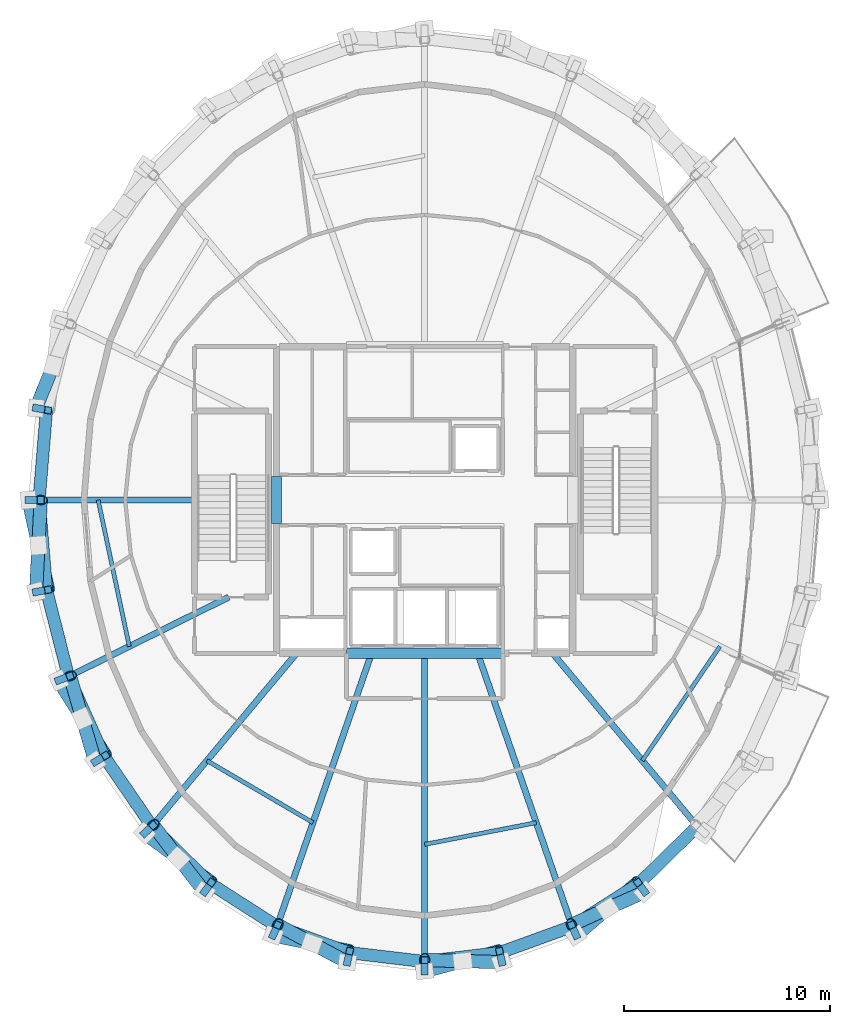
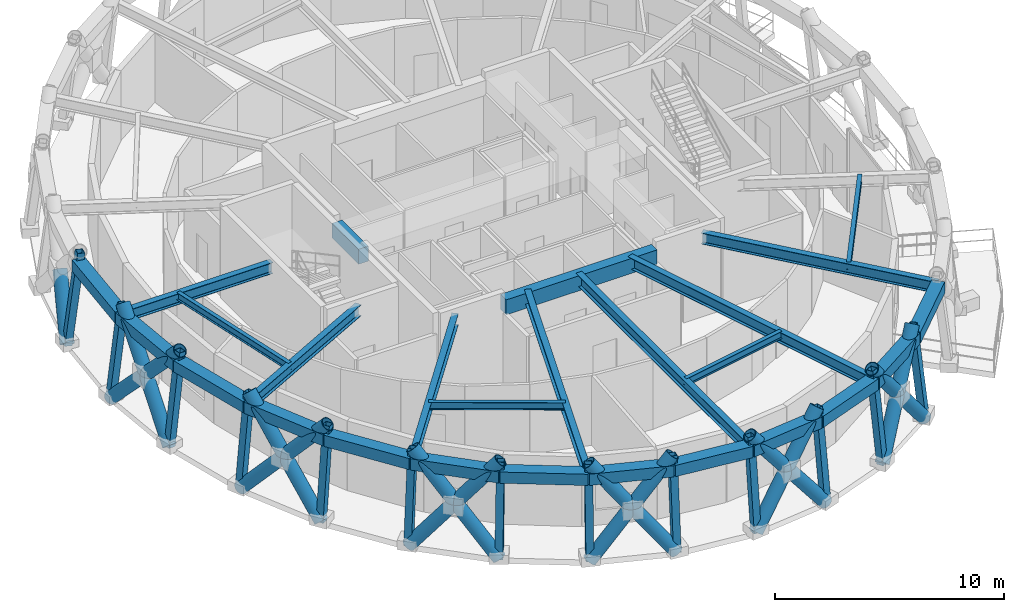
# One storey, part 1 of 11: 32 members, 26 beams.
"""IFC4 building model written with IfcOpenShell, lengths in metres."""

from ifc_helpers import new_model, si_unit, direction, frame, origin, origin_2d, place, context, subcontext, project, spatial, rectangle, hollow_rectangle, hollow_circle, i_section, extrude, material, material_profile, profile_set, type_object, element, save


model = new_model("IFC4")

# Units and contexts
model_context = context("Model", 3, precision=1e-05, world=origin(), true_north=direction((0.0, 1.0)))
body_context = subcontext(model_context, "Body", "Model", "MODEL_VIEW")
ifc_project = project(units=[si_unit("LENGTHUNIT", "METRE"), si_unit("AREAUNIT", "SQUARE_METRE"), si_unit("VOLUMEUNIT", "CUBIC_METRE"), si_unit("PLANEANGLEUNIT", "RADIAN"), si_unit("MASSUNIT", "GRAM", prefix="KILO")], contexts=[model_context])

# Site, building, storey
site_placement = place(None, origin())
site = spatial("IfcSite", under=ifc_project, at=site_placement, CompositionType="ELEMENT")
building_placement = place(site_placement, origin())
building = spatial("IfcBuilding", under=site, at=building_placement, Name="Veldorina Hangang Commons", CompositionType="ELEMENT")
storey_placement = place(building_placement, frame((0.0, 0.0, 297.60009765625)))
storey = spatial("IfcBuildingStorey", under=building, at=storey_placement, Name="L78", CompositionType="ELEMENT", Elevation=297.60009765625)

# Beams
ifc_material_1 = material(Name="Steel SM460-TMC", Category="steel")
ifc_material_profile_1 = material_profile(ifc_material_1, hollow_rectangle(XDim=0.60009765625, YDim=0.60009765625, WallThickness=0.030029296875, at=origin_2d()), Name="BOX-600x600x30")
ifc_profile_set_1 = profile_set([ifc_material_profile_1], Name="Steel SM460-TMC")
beam_type_1 = type_object("IfcBeamType", Name="BM-BLT600", PredefinedType="BEAM", material=ifc_profile_set_1)
for number, where, z_axis, x_axis, name in (
    (1, (13.62744140625, 28.375, 4.139892578125), (-0.081977609852, -0.99663417134, 0.0), (0.99663417134, -0.081977609852, 0.0), "L78 perimeter hoop ring beam 15"),
    (2, (13.267578125, 24.0, 4.139892578125), (0.081977609852, -0.99663417134, 0.0), (0.99663417134, 0.081977609852, 0.0), "L78 perimeter hoop ring beam 16"),
):
    element("IfcBeam", number, at=place(storey_placement, frame(where, z_axis=z_axis, x_axis=x_axis)), inside=storey, type_object=beam_type_1, Name=name, PredefinedType="BEAM", context=body_context, shape_type="SweptSolid", body=[
        extrude(hollow_rectangle(XDim=0.60009765625, YDim=0.60009765625, WallThickness=0.030029296875, at=origin_2d()), origin(), (0.0, 0.0, 1.0), 4.389892578125),
    ])
beam_1_placement = place(storey_placement, frame((13.62744140625, 19.625, 4.139892578125), z_axis=(0.245618613612, -0.969366544011, 0.0), x_axis=(0.969366544011, 0.245618613612, 0.0)))
element("IfcBeam", 3, at=beam_1_placement, inside=storey, type_object=beam_type_1, Name="L78 perimeter hoop ring beam 17", PredefinedType="BEAM", context=body_context, shape_type="SweptSolid", body=[
    extrude(hollow_rectangle(XDim=0.60009765625, YDim=0.60009765625, WallThickness=0.030029296875, at=origin_2d()), origin(), (0.0, 0.0, 1.0), 4.33984375),
])
beam_2_placement = place(storey_placement, frame((14.693359375, 15.418212890625, 4.139892578125), z_axis=(0.407711623383, -0.913110744739, 0.0), x_axis=(0.913110744739, 0.407711623383, 0.0)))
element("IfcBeam", 4, at=beam_2_placement, inside=storey, type_object=beam_type_1, Name="L78 perimeter hoop ring beam 18", PredefinedType="BEAM", context=body_context, shape_type="SweptSolid", body=[
    extrude(hollow_rectangle(XDim=0.60009765625, YDim=0.60009765625, WallThickness=0.030029296875, at=origin_2d()), origin(), (0.0, 0.0, 1.0), 4.24609375),
])
beam_3_placement = place(storey_placement, frame((16.424560546875, 11.541015625, 4.139892578125), z_axis=(0.565401681527, -0.824815699733, 0.0), x_axis=(0.824815699733, 0.565401681527, 0.0)))
element("IfcBeam", 5, at=beam_3_placement, inside=storey, type_object=beam_type_1, Name="L78 perimeter hoop ring beam 19", PredefinedType="BEAM", context=body_context, shape_type="SweptSolid", body=[
    extrude(hollow_rectangle(XDim=0.60009765625, YDim=0.60009765625, WallThickness=0.030029296875, at=origin_2d()), origin(), (0.0, 0.0, 1.0), 4.1201171875),
])
beam_4_placement = place(storey_placement, frame((18.754150390625, 8.142578125, 4.139892578125), z_axis=(0.713336969604, -0.70082120958, 0.0), x_axis=(0.70082120958, 0.713336969604, 0.0)))
element("IfcBeam", 6, at=beam_4_placement, inside=storey, type_object=beam_type_1, Name="L78 perimeter hoop ring beam 20", PredefinedType="BEAM", context=body_context, shape_type="SweptSolid", body=[
    extrude(hollow_rectangle(XDim=0.60009765625, YDim=0.60009765625, WallThickness=0.030029296875, at=origin_2d()), origin(), (0.0, 0.0, 1.0), 3.979248046875),
])
beam_5_placement = place(storey_placement, frame((21.5927734375, 5.353759765625, 4.139892578125), z_axis=(0.84231752643, -0.538981618118, 0.0), x_axis=(0.538981618118, 0.84231752643, 0.0)))
element("IfcBeam", 7, at=beam_5_placement, inside=storey, type_object=beam_type_1, Name="L78 perimeter hoop ring beam 21", PredefinedType="BEAM", context=body_context, shape_type="SweptSolid", body=[
    extrude(hollow_rectangle(XDim=0.60009765625, YDim=0.60009765625, WallThickness=0.030029296875, at=origin_2d()), origin(), (0.0, 0.0, 1.0), 3.8447265625),
])
beam_6_placement = place(storey_placement, frame((24.831298828125, 3.281494140625, 4.139892578125), z_axis=(0.93992300186, -0.341386512, 0.0), x_axis=(0.341386512, 0.93992300186, 0.0)))
element("IfcBeam", 8, at=beam_6_placement, inside=storey, type_object=beam_type_1, Name="L78 perimeter hoop ring beam 22", PredefinedType="BEAM", context=body_context, shape_type="SweptSolid", body=[
    extrude(hollow_rectangle(XDim=0.60009765625, YDim=0.60009765625, WallThickness=0.030029296875, at=origin_2d()), origin(), (0.0, 0.0, 1.0), 3.73876953125),
])
for number, where, z_axis, x_axis, name in (
    (9, (28.345458984375, 2.005126953125, 4.139892578125), (0.993127942108, -0.117033715671, 0.0), (0.117033715671, 0.993127942108, 0.0), "L78 perimeter hoop ring beam 23"),
    (10, (32.0, 1.574462890625, 4.139892578125), (0.993127942108, 0.117033715671, 0.0), (-0.117033715671, 0.993127942108, 0.0), "L78 perimeter hoop ring beam 24"),
):
    element("IfcBeam", number, at=place(storey_placement, frame(where, z_axis=z_axis, x_axis=x_axis)), inside=storey, type_object=beam_type_1, Name=name, PredefinedType="BEAM", context=body_context, shape_type="SweptSolid", body=[
        extrude(hollow_rectangle(XDim=0.60009765625, YDim=0.60009765625, WallThickness=0.030029296875, at=origin_2d()), origin(), (0.0, 0.0, 1.0), 3.679931640625),
    ])
beam_7_placement = place(storey_placement, frame((35.654541015625, 2.005126953125, 4.139892578125), z_axis=(0.93992300186, 0.341386512, 0.0), x_axis=(-0.341386512, 0.93992300186, 0.0)))
element("IfcBeam", 11, at=beam_7_placement, inside=storey, type_object=beam_type_1, Name="L78 perimeter hoop ring beam 25", PredefinedType="BEAM", context=body_context, shape_type="SweptSolid", body=[
    extrude(hollow_rectangle(XDim=0.60009765625, YDim=0.60009765625, WallThickness=0.030029296875, at=origin_2d()), origin(), (0.0, 0.0, 1.0), 3.73876953125),
])
beam_8_placement = place(storey_placement, frame((39.168701171875, 3.281494140625, 4.139892578125), z_axis=(0.84231752643, 0.538981618118, 0.0), x_axis=(-0.538981618118, 0.84231752643, 0.0)))
element("IfcBeam", 12, at=beam_8_placement, inside=storey, type_object=beam_type_1, Name="L78 perimeter hoop ring beam 26", PredefinedType="BEAM", context=body_context, shape_type="SweptSolid", body=[
    extrude(hollow_rectangle(XDim=0.60009765625, YDim=0.60009765625, WallThickness=0.030029296875, at=origin_2d()), origin(), (0.0, 0.0, 1.0), 3.8447265625),
])
beam_9_placement = place(storey_placement, frame((42.4072265625, 5.353759765625, 4.139892578125), z_axis=(0.713336969604, 0.70082120958, 0.0), x_axis=(-0.70082120958, 0.713336969604, 0.0)))
element("IfcBeam", 13, at=beam_9_placement, inside=storey, type_object=beam_type_1, Name="L78 perimeter hoop ring beam 27", PredefinedType="BEAM", context=body_context, shape_type="SweptSolid", body=[
    extrude(hollow_rectangle(XDim=0.60009765625, YDim=0.60009765625, WallThickness=0.030029296875, at=origin_2d()), origin(), (0.0, 0.0, 1.0), 3.979248046875),
])
ifc_material_2 = material(Name="Concrete C50/60", Category="concrete")
ifc_material_profile_2 = material_profile(ifc_material_2, rectangle(XDim=0.5, YDim=0.800048828125, at=origin_2d()), Name="RC-CB-500x800")
ifc_profile_set_2 = profile_set([ifc_material_profile_2], Name="Concrete C50/60")
beam_type_2 = type_object("IfcBeamType", Name="BM-CB800", PredefinedType="LINTEL", material=ifc_profile_set_2)
beam_10_placement = place(storey_placement, frame((24.800048828125, 22.85009765625, 4.039794921875), z_axis=(0.0, 1.0, 0.0), x_axis=(-1.0, 0.0, 0.0)))
element("IfcBeam", 14, at=beam_10_placement, inside=storey, type_object=beam_type_2, Name="L78 W core coupling lintel beam", PredefinedType="LINTEL", context=body_context, shape_type="SweptSolid", body=[
    extrude(rectangle(XDim=0.5, YDim=0.800048828125, at=origin_2d()), origin(), (0.0, 0.0, 1.0), 2.2998046875),
])
beam_11_placement = place(storey_placement, frame((28.199951171875, 16.550048828125, 4.039794921875), z_axis=(1.0, 0.0, 0.0), x_axis=(0.0, 1.0, 0.0)))
element("IfcBeam", 15, at=beam_11_placement, inside=storey, type_object=beam_type_2, Name="L78 south core coupling beam", PredefinedType="LINTEL", context=body_context, shape_type="SweptSolid", body=[
    extrude(rectangle(XDim=0.5, YDim=0.800048828125, at=origin_2d()), origin(), (0.0, 0.0, 1.0), 7.60009765625),
])
ifc_material_profile_3 = material_profile(ifc_material_1, i_section(OverallWidth=0.300048828125, OverallDepth=0.587890625, WebThickness=0.011962890625, FlangeThickness=0.02001953125, FilletRadius=0.01806640625, at=origin_2d()), Name="H-588x300x12x20")
ifc_profile_set_3 = profile_set([ifc_material_profile_3], Name="Steel SM460-TMC")
beam_type_3 = type_object("IfcBeamType", Name="BM-FG588", PredefinedType="BEAM", material=ifc_profile_set_3)
beam_12_placement = place(storey_placement, frame((20.820068359375, 24.0, 4.14599609375), z_axis=(-1.0, 0.0, 0.0), x_axis=(0.0, -1.0, 0.0)))
element("IfcBeam", 16, at=beam_12_placement, inside=storey, type_object=beam_type_3, Name="L78 radial floor girder 09", PredefinedType="BEAM", context=body_context, shape_type="SweptSolid", body=[
    extrude(i_section(OverallWidth=0.300048828125, OverallDepth=0.587890625, WebThickness=0.011962890625, FlangeThickness=0.02001953125, FilletRadius=0.01806640625, at=origin_2d()), origin(), (0.0, 0.0, 1.0), 7.552490234375),
])
beam_13_placement = place(storey_placement, frame((22.4814453125, 19.280029296875, 4.14599609375), z_axis=(-0.895905151531, -0.444245382035, 0.0), x_axis=(0.444245382035, -0.895905151531, 0.0)))
element("IfcBeam", 17, at=beam_13_placement, inside=storey, type_object=beam_type_3, Name="L78 radial floor girder 10", PredefinedType="BEAM", context=body_context, shape_type="SweptSolid", body=[
    extrude(i_section(OverallWidth=0.300048828125, OverallDepth=0.587890625, WebThickness=0.011962890625, FlangeThickness=0.02001953125, FilletRadius=0.01806640625, at=origin_2d()), origin(), (0.0, 0.0, 1.0), 8.69287109375),
])
beam_14_placement = place(storey_placement, frame((25.77685546875, 16.550048828125, 4.14599609375), z_axis=(-0.641071779477, -0.767480927163, 0.0), x_axis=(0.767480927163, -0.641071779477, 0.0)))
element("IfcBeam", 18, at=beam_14_placement, inside=storey, type_object=beam_type_3, Name="L78 radial floor girder 11", PredefinedType="BEAM", context=body_context, shape_type="SweptSolid", body=[
    extrude(i_section(OverallWidth=0.300048828125, OverallDepth=0.587890625, WebThickness=0.011962890625, FlangeThickness=0.02001953125, FilletRadius=0.01806640625, at=origin_2d()), origin(), (0.0, 0.0, 1.0), 10.95458984375),
])
beam_15_placement = place(storey_placement, frame((29.42236328125, 16.550048828125, 4.14599609375), z_axis=(-0.326989921623, -0.945027825599, 0.0), x_axis=(0.945027825599, -0.326989921623, 0.0)))
element("IfcBeam", 19, at=beam_15_placement, inside=storey, type_object=beam_type_3, Name="L78 radial floor girder 12", PredefinedType="BEAM", context=body_context, shape_type="SweptSolid", body=[
    extrude(i_section(OverallWidth=0.300048828125, OverallDepth=0.587890625, WebThickness=0.011962890625, FlangeThickness=0.02001953125, FilletRadius=0.01806640625, at=origin_2d()), origin(), (0.0, 0.0, 1.0), 14.040283203125),
])
beam_16_placement = place(storey_placement, frame((32.0, 16.550048828125, 4.14599609375), z_axis=(0.0, -1.0, 0.0), x_axis=(1.0, 0.0, 0.0)))
element("IfcBeam", 20, at=beam_16_placement, inside=storey, type_object=beam_type_3, Name="L78 radial floor girder 13", PredefinedType="BEAM", context=body_context, shape_type="SweptSolid", body=[
    extrude(i_section(OverallWidth=0.300048828125, OverallDepth=0.587890625, WebThickness=0.011962890625, FlangeThickness=0.02001953125, FilletRadius=0.01806640625, at=origin_2d()), origin(), (0.0, 0.0, 1.0), 14.9755859375),
])
beam_17_placement = place(storey_placement, frame((34.57763671875, 16.550048828125, 4.14599609375), z_axis=(0.326989921623, -0.945027825599, 0.0), x_axis=(0.945027825599, 0.326989921623, 0.0)))
element("IfcBeam", 21, at=beam_17_placement, inside=storey, type_object=beam_type_3, Name="L78 radial floor girder 14", PredefinedType="BEAM", context=body_context, shape_type="SweptSolid", body=[
    extrude(i_section(OverallWidth=0.300048828125, OverallDepth=0.587890625, WebThickness=0.011962890625, FlangeThickness=0.02001953125, FilletRadius=0.01806640625, at=origin_2d()), origin(), (0.0, 0.0, 1.0), 14.040283203125),
])
beam_18_placement = place(storey_placement, frame((38.22314453125, 16.550048828125, 4.14599609375), z_axis=(0.641071779477, -0.767480927163, 0.0), x_axis=(0.767480927163, 0.641071779477, 0.0)))
element("IfcBeam", 22, at=beam_18_placement, inside=storey, type_object=beam_type_3, Name="L78 radial floor girder 15", PredefinedType="BEAM", context=body_context, shape_type="SweptSolid", body=[
    extrude(i_section(OverallWidth=0.300048828125, OverallDepth=0.587890625, WebThickness=0.011962890625, FlangeThickness=0.02001953125, FilletRadius=0.01806640625, at=origin_2d()), origin(), (0.0, 0.0, 1.0), 10.95458984375),
])
ifc_material_3 = material(Name="Steel SM355-TMC", Category="steel")
ifc_material_profile_4 = material_profile(ifc_material_3, i_section(OverallWidth=0.199951171875, OverallDepth=0.39990234375, WebThickness=0.008056640625, FlangeThickness=0.012939453125, FilletRadius=0.012939453125, at=origin_2d()), Name="H-400x200x8x13")
ifc_profile_set_4 = profile_set([ifc_material_profile_4], Name="Steel SM355-TMC")
beam_type_4 = type_object("IfcBeamType", Name="BM-JST400", PredefinedType="JOIST", material=ifc_profile_set_4)
beam_19_placement = place(storey_placement, frame((16.137451171875, 24.0, 4.239990234375), z_axis=(0.208325573529, -0.97805953572, 0.0), x_axis=(0.97805953572, 0.208325573529, 0.0)))
element("IfcBeam", 23, at=beam_19_placement, inside=storey, type_object=beam_type_4, Name="L78 secondary floor joist 09", PredefinedType="JOIST", context=body_context, shape_type="SweptSolid", body=[
    extrude(i_section(OverallWidth=0.199951171875, OverallDepth=0.39990234375, WebThickness=0.008056640625, FlangeThickness=0.012939453125, FilletRadius=0.012939453125, at=origin_2d()), origin(), (0.0, 0.0, 1.0), 7.274169921875),
])
beam_20_placement = place(storey_placement, frame((21.4228515625, 11.33740234375, 4.239990234375), z_axis=(0.863198363978, -0.504864917009, 0.0), x_axis=(0.504864917009, 0.863198363978, 0.0)))
element("IfcBeam", 24, at=beam_20_placement, inside=storey, type_object=beam_type_4, Name="L78 secondary floor joist 11", PredefinedType="JOIST", context=body_context, shape_type="SweptSolid", body=[
    extrude(i_section(OverallWidth=0.199951171875, OverallDepth=0.39990234375, WebThickness=0.008056640625, FlangeThickness=0.012939453125, FilletRadius=0.012939453125, at=origin_2d()), origin(), (0.0, 0.0, 1.0), 5.9697265625),
])
beam_21_placement = place(storey_placement, frame((32.0, 7.26513671875, 4.239990234375), z_axis=(0.981490794558, 0.191509321439, 0.0), x_axis=(-0.191509321439, 0.981490794558, 0.0)))
element("IfcBeam", 25, at=beam_21_placement, inside=storey, type_object=beam_type_4, Name="L78 secondary floor joist 13", PredefinedType="JOIST", context=body_context, shape_type="SweptSolid", body=[
    extrude(i_section(OverallWidth=0.199951171875, OverallDepth=0.39990234375, WebThickness=0.008056640625, FlangeThickness=0.012939453125, FilletRadius=0.012939453125, at=origin_2d()), origin(), (0.0, 0.0, 1.0), 5.5263671875),
])
beam_22_placement = place(storey_placement, frame((42.5771484375, 11.33740234375, 4.239990234375), z_axis=(0.562036219704, 0.827112620954, 0.0), x_axis=(-0.827112620954, 0.562036219704, 0.0)))
element("IfcBeam", 26, at=beam_22_placement, inside=storey, type_object=beam_type_4, Name="L78 secondary floor joist 15", PredefinedType="JOIST", context=body_context, shape_type="SweptSolid", body=[
    extrude(i_section(OverallWidth=0.199951171875, OverallDepth=0.39990234375, WebThickness=0.008056640625, FlangeThickness=0.012939453125, FilletRadius=0.012939453125, at=origin_2d()), origin(), (0.0, 0.0, 1.0), 6.707763671875),
])

# Members
ifc_material_profile_5 = material_profile(ifc_material_1, hollow_circle(Radius=0.324951171875, WallThickness=0.031982421875, at=origin_2d()), Name="CHS-650x32")
ifc_profile_set_5 = profile_set([ifc_material_profile_5], Name="Steel SM460-TMC")
member_type_1 = type_object("IfcMemberType", Name="DG-CHS650", PredefinedType="BRACE", material=ifc_profile_set_5)
member_1_placement = place(storey_placement, frame((13.119873046875, 28.467529296875, 0.0), z_axis=(0.254317314851, 0.626689378592, 0.736602420663), x_axis=(-0.926608422429, 0.376027700421, 0.0)))
element("IfcMember", 27, at=member_1_placement, inside=storey, type_object=member_type_1, Name="L78 split perimeter diagrid lower brace 15", PredefinedType="BRACE", context=body_context, shape_type="SweptSolid", body=[
    extrude(hollow_circle(Radius=0.324951171875, WallThickness=0.031982421875, at=origin_2d()), origin(), (0.0, 0.0, 1.0), 3.298583984375),
])
member_2_placement = place(storey_placement, frame((12.75, 24.0, 0.0), z_axis=(0.146221141226, -0.665183286371, 0.732223035278), x_axis=(0.976681173654, 0.214694864936, 0.0)))
element("IfcMember", 28, at=member_2_placement, inside=storey, type_object=member_type_1, Name="L78 continuous perimeter diagrid brace 16", PredefinedType="BRACE", context=body_context, shape_type="SweptSolid", body=[
    extrude(hollow_circle(Radius=0.324951171875, WallThickness=0.031982421875, at=origin_2d()), origin(), (0.0, 0.0, 1.0), 6.55517578125),
])
member_3_placement = place(storey_placement, frame((13.119873046875, 19.532470703125, 0.0), z_axis=(0.03470467364, 0.680858639625, 0.731592166768), x_axis=(-0.998703457471, 0.050905834981, 0.0)))
element("IfcMember", 29, at=member_3_placement, inside=storey, type_object=member_type_1, Name="L78 split perimeter diagrid lower brace 17", PredefinedType="BRACE", context=body_context, shape_type="SweptSolid", body=[
    extrude(hollow_circle(Radius=0.324951171875, WallThickness=0.031982421875, at=origin_2d()), origin(), (0.0, 0.0, 1.0), 3.3203125),
])
member_4_placement = place(storey_placement, frame((13.235107421875, 21.793212890625, 2.42919921875), z_axis=(0.035481853182, 0.680935182405, 0.731483639911), x_axis=(-0.998645160815, 0.05203693669, 0.0)))
element("IfcMember", 30, at=member_4_placement, inside=storey, type_object=member_type_1, Name="L78 split perimeter diagrid upper brace 17", PredefinedType="BRACE", context=body_context, shape_type="SweptSolid", body=[
    extrude(hollow_circle(Radius=0.324951171875, WallThickness=0.031982421875, at=origin_2d()), origin(), (0.0, 0.0, 1.0), 3.24072265625),
])
member_5_placement = place(storey_placement, frame((14.21533203125, 15.236572265625, 0.0), z_axis=(0.353268278742, -0.56663020272, 0.744400252955), x_axis=(0.84858712723, 0.529055656335, 0.0)))
element("IfcMember", 31, at=member_5_placement, inside=storey, type_object=member_type_1, Name="L78 continuous perimeter diagrid brace 18", PredefinedType="BRACE", context=body_context, shape_type="SweptSolid", body=[
    extrude(hollow_circle(Radius=0.324951171875, WallThickness=0.031982421875, at=origin_2d()), origin(), (0.0, 0.0, 1.0), 6.447998046875),
])
member_6_placement = place(storey_placement, frame((15.994140625, 11.27734375, 0.0), z_axis=(-0.190802228133, 0.643380346931, 0.741388048813), x_axis=(-0.958728671102, -0.284322590041, 0.0)))
element("IfcMember", 32, at=member_6_placement, inside=storey, type_object=member_type_1, Name="L78 split perimeter diagrid lower brace 19", PredefinedType="BRACE", context=body_context, shape_type="SweptSolid", body=[
    extrude(hollow_circle(Radius=0.324951171875, WallThickness=0.031982421875, at=origin_2d()), origin(), (0.0, 0.0, 1.0), 3.2783203125),
])
member_7_placement = place(storey_placement, frame((15.36865234375, 13.386474609375, 2.430419921875), z_axis=(-0.187419600422, 0.644589008787, 0.741200986999), x_axis=(-0.960234124395, -0.279196035695, 0.0)))
element("IfcMember", 33, at=member_7_placement, inside=storey, type_object=member_type_1, Name="L78 split perimeter diagrid upper brace 19", PredefinedType="BRACE", context=body_context, shape_type="SweptSolid", body=[
    extrude(hollow_circle(Radius=0.324951171875, WallThickness=0.031982421875, at=origin_2d()), origin(), (0.0, 0.0, 1.0), 3.19677734375),
])
member_8_placement = place(storey_placement, frame((18.38818359375, 7.807373046875, 0.0), z_axis=(0.518379712869, -0.3812508749, 0.765460804793), x_axis=(0.59248054418, 0.805584759519, 0.0)))
element("IfcMember", 34, at=member_8_placement, inside=storey, type_object=member_type_1, Name="L78 continuous perimeter diagrid brace 20", PredefinedType="BRACE", context=body_context, shape_type="SweptSolid", body=[
    extrude(hollow_circle(Radius=0.324951171875, WallThickness=0.031982421875, at=origin_2d()), origin(), (0.0, 0.0, 1.0), 6.2705078125),
])
member_9_placement = place(storey_placement, frame((21.305419921875, 4.959228515625, 0.0), z_axis=(-0.397236099612, 0.511998288805, 0.761617511239), x_axis=(-0.790088108476, -0.612993295921, 0.0)))
element("IfcMember", 35, at=member_9_placement, inside=storey, type_object=member_type_1, Name="L78 split perimeter diagrid lower brace 21", PredefinedType="BRACE", context=body_context, shape_type="SweptSolid", body=[
    extrude(hollow_circle(Radius=0.324951171875, WallThickness=0.031982421875, at=origin_2d()), origin(), (0.0, 0.0, 1.0), 3.1953125),
])
member_10_placement = place(storey_placement, frame((20.0361328125, 6.59521484375, 2.43359375), z_axis=(-0.39370412652, 0.515145981987, 0.761328889511), x_axis=(-0.794529744997, -0.607225233596, 0.0)))
element("IfcMember", 36, at=member_10_placement, inside=storey, type_object=member_type_1, Name="L78 split perimeter diagrid upper brace 21", PredefinedType="BRACE", context=body_context, shape_type="SweptSolid", body=[
    extrude(hollow_circle(Radius=0.324951171875, WallThickness=0.031982421875, at=origin_2d()), origin(), (0.0, 0.0, 1.0), 3.10791015625),
])
member_11_placement = place(storey_placement, frame((24.63330078125, 2.84326171875, 0.0), z_axis=(0.608648099301, -0.124710883551, 0.783578130591), x_axis=(0.200727887858, 0.979647035945, 0.0)))
element("IfcMember", 37, at=member_11_placement, inside=storey, type_object=member_type_1, Name="L78 continuous perimeter diagrid brace 22", PredefinedType="BRACE", context=body_context, shape_type="SweptSolid", body=[
    extrude(hollow_circle(Radius=0.324951171875, WallThickness=0.031982421875, at=origin_2d()), origin(), (0.0, 0.0, 1.0), 6.12548828125),
])
member_12_placement = place(storey_placement, frame((28.244384765625, 1.5400390625, 0.0), z_axis=(-0.550872268165, 0.293438495787, 0.781302497985), x_axis=(-0.470139063633, -0.882592352588, 0.0)))
element("IfcMember", 38, at=member_12_placement, inside=storey, type_object=member_type_1, Name="L78 split perimeter diagrid lower brace 23", PredefinedType="BRACE", context=body_context, shape_type="SweptSolid", body=[
    extrude(hollow_circle(Radius=0.324951171875, WallThickness=0.031982421875, at=origin_2d()), origin(), (0.0, 0.0, 1.0), 3.119140625),
])
member_13_placement = place(storey_placement, frame((26.526123046875, 2.455322265625, 2.43701171875), z_axis=(-0.549755559766, 0.296183632464, 0.781053186644), x_axis=(-0.474300187559, -0.880363181921, 0.0)))
element("IfcMember", 39, at=member_13_placement, inside=storey, type_object=member_type_1, Name="L78 split perimeter diagrid upper brace 23", PredefinedType="BRACE", context=body_context, shape_type="SweptSolid", body=[
    extrude(hollow_circle(Radius=0.324951171875, WallThickness=0.031982421875, at=origin_2d()), origin(), (0.0, 0.0, 1.0), 3.025146484375),
])
member_14_placement = place(storey_placement, frame((32.0, 1.10009765625, 0.0), z_axis=(0.596261626571, 0.160478117438, 0.786586833415), x_axis=(-0.259892143817, 0.965637651286, 0.0)))
element("IfcMember", 40, at=member_14_placement, inside=storey, type_object=member_type_1, Name="L78 continuous perimeter diagrid brace 24", PredefinedType="BRACE", context=body_context, shape_type="SweptSolid", body=[
    extrude(hollow_circle(Radius=0.324951171875, WallThickness=0.031982421875, at=origin_2d()), origin(), (0.0, 0.0, 1.0), 6.10205078125),
])
member_15_placement = place(storey_placement, frame((35.755615234375, 1.5400390625, 0.0), z_axis=(-0.61618541941, 0.018531299406, 0.787383083288), x_axis=(-0.030060634515, -0.999548077009, 0.0)))
element("IfcMember", 41, at=member_15_placement, inside=storey, type_object=member_type_1, Name="L78 split perimeter diagrid lower brace 25", PredefinedType="BRACE", context=body_context, shape_type="SweptSolid", body=[
    extrude(hollow_circle(Radius=0.324951171875, WallThickness=0.031982421875, at=origin_2d()), origin(), (0.0, 0.0, 1.0), 3.095947265625),
])
member_16_placement = place(storey_placement, frame((33.847900390625, 1.597412109375, 2.437744140625), z_axis=(-0.616075608672, 0.017499835627, 0.787492603237), x_axis=(-0.02839388488, -0.999596812371, 0.0)))
element("IfcMember", 42, at=member_16_placement, inside=storey, type_object=member_type_1, Name="L78 split perimeter diagrid upper brace 25", PredefinedType="BRACE", context=body_context, shape_type="SweptSolid", body=[
    extrude(hollow_circle(Radius=0.324951171875, WallThickness=0.031982421875, at=origin_2d()), origin(), (0.0, 0.0, 1.0), 2.99951171875),
])
member_17_placement = place(storey_placement, frame((39.36669921875, 2.84326171875, 0.0), z_axis=(0.481823117403, 0.414063058906, 0.772268260895), x_axis=(-0.65176340903, 0.758422348464, 0.0)))
element("IfcMember", 43, at=member_17_placement, inside=storey, type_object=member_type_1, Name="L78 continuous perimeter diagrid brace 26", PredefinedType="BRACE", context=body_context, shape_type="SweptSolid", body=[
    extrude(hollow_circle(Radius=0.324951171875, WallThickness=0.031982421875, at=origin_2d()), origin(), (0.0, 0.0, 1.0), 6.215087890625),
])
member_18_placement = place(storey_placement, frame((42.694580078125, 4.959228515625, 0.0), z_axis=(-0.576023209176, -0.258075193204, 0.775625204041), x_axis=(0.408868426739, -0.91259334296, 0.0)))
element("IfcMember", 44, at=member_18_placement, inside=storey, type_object=member_type_1, Name="L78 split perimeter diagrid lower brace 27", PredefinedType="BRACE", context=body_context, shape_type="SweptSolid", body=[
    extrude(hollow_circle(Radius=0.324951171875, WallThickness=0.031982421875, at=origin_2d()), origin(), (0.0, 0.0, 1.0), 3.139892578125),
])
member_19_placement = place(storey_placement, frame((40.885986328125, 4.14892578125, 2.435302734375), z_axis=(-0.573955534392, -0.261741028875, 0.775929557592), x_axis=(0.414922180655, -0.909856903035, 0.0)))
element("IfcMember", 45, at=member_19_placement, inside=storey, type_object=member_type_1, Name="L78 split perimeter diagrid upper brace 27", PredefinedType="BRACE", context=body_context, shape_type="SweptSolid", body=[
    extrude(hollow_circle(Radius=0.324951171875, WallThickness=0.031982421875, at=origin_2d()), origin(), (0.0, 0.0, 1.0), 3.04736328125),
])
ifc_material_profile_6 = material_profile(ifc_material_3, hollow_rectangle(XDim=0.35009765625, YDim=0.35009765625, WallThickness=0.01611328125, at=origin_2d()), Name="SHS-350x350x16")
ifc_profile_set_6 = profile_set([ifc_material_profile_6], Name="Steel SM355-TMC")
member_type_2 = type_object("IfcMemberType", Name="STR-SHS350", PredefinedType="STRUT", material=ifc_profile_set_6)
member_20_placement = place(storey_placement, frame((13.119873046875, 28.467529296875, 0.0), z_axis=(0.121693008589, -0.022158121431, 0.992320426735), x_axis=(0.179136795154, 0.983824175664, 0.0)))
element("IfcMember", 46, at=member_20_placement, inside=storey, type_object=member_type_2, Name="L78 perimeter ring node post 15", PredefinedType="STRUT", context=body_context, shape_type="SweptSolid", body=[
    extrude(hollow_rectangle(XDim=0.35009765625, YDim=0.35009765625, WallThickness=0.01611328125, at=origin_2d()), origin(), (0.0, 0.0, 1.0), 4.8369140625),
])
member_21_placement = place(storey_placement, frame((12.75, 24.0, 0.0), z_axis=(0.124059582185, 0.0, 0.992274770448), x_axis=(0.0, 1.0, 0.0)))
element("IfcMember", 47, at=member_21_placement, inside=storey, type_object=member_type_2, Name="L78 perimeter ring node post 16", PredefinedType="STRUT", context=body_context, shape_type="SweptSolid", body=[
    extrude(hollow_rectangle(XDim=0.35009765625, YDim=0.35009765625, WallThickness=0.01611328125, at=origin_2d()), origin(), (0.0, 0.0, 1.0), 4.837158203125),
])
member_22_placement = place(storey_placement, frame((13.119873046875, 19.532470703125, 0.0), z_axis=(0.121693008589, 0.022158121431, 0.992320426735), x_axis=(-0.179136795154, 0.983824175664, 0.0)))
element("IfcMember", 48, at=member_22_placement, inside=storey, type_object=member_type_2, Name="L78 perimeter ring node post 17", PredefinedType="STRUT", context=body_context, shape_type="SweptSolid", body=[
    extrude(hollow_rectangle(XDim=0.35009765625, YDim=0.35009765625, WallThickness=0.01611328125, at=origin_2d()), origin(), (0.0, 0.0, 1.0), 4.8369140625),
])
member_23_placement = place(storey_placement, frame((14.21533203125, 15.236572265625, 0.0), z_axis=(0.114592176879, 0.043514738533, 0.992459117812), x_axis=(-0.355001829231, 0.934865605979, 0.0)))
element("IfcMember", 49, at=member_23_placement, inside=storey, type_object=member_type_2, Name="L78 perimeter ring node post 18", PredefinedType="STRUT", context=body_context, shape_type="SweptSolid", body=[
    extrude(hollow_rectangle(XDim=0.35009765625, YDim=0.35009765625, WallThickness=0.01611328125, at=origin_2d()), origin(), (0.0, 0.0, 1.0), 4.836181640625),
])
member_24_placement = place(storey_placement, frame((15.994140625, 11.27734375, 0.0), z_axis=(0.103203233308, 0.063214504942, 0.992649494535), x_axis=(-0.522327247987, 0.85274512371, 0.0)))
element("IfcMember", 50, at=member_24_placement, inside=storey, type_object=member_type_2, Name="L78 perimeter ring node post 19", PredefinedType="STRUT", context=body_context, shape_type="SweptSolid", body=[
    extrude(hollow_rectangle(XDim=0.35009765625, YDim=0.35009765625, WallThickness=0.01611328125, at=origin_2d()), origin(), (0.0, 0.0, 1.0), 4.83544921875),
])
member_25_placement = place(storey_placement, frame((18.38818359375, 7.807373046875, 0.0), z_axis=(0.087773983701, 0.080451067915, 0.992886374897), x_axis=(-0.675686213147, 0.737189352448, 0.0)))
element("IfcMember", 51, at=member_25_placement, inside=storey, type_object=member_type_2, Name="L78 perimeter ring node post 20", PredefinedType="STRUT", context=body_context, shape_type="SweptSolid", body=[
    extrude(hollow_rectangle(XDim=0.35009765625, YDim=0.35009765625, WallThickness=0.01611328125, at=origin_2d()), origin(), (0.0, 0.0, 1.0), 4.834228515625),
])
member_26_placement = place(storey_placement, frame((21.305419921875, 4.959228515625, 0.0), z_axis=(0.068952524645, 0.09466449171, 0.993118413561), x_axis=(-0.808306873644, 0.588761410098, 0.0)))
element("IfcMember", 52, at=member_26_placement, inside=storey, type_object=member_type_2, Name="L78 perimeter ring node post 21", PredefinedType="STRUT", context=body_context, shape_type="SweptSolid", body=[
    extrude(hollow_rectangle(XDim=0.35009765625, YDim=0.35009765625, WallThickness=0.01611328125, at=origin_2d()), origin(), (0.0, 0.0, 1.0), 4.8330078125),
])
member_27_placement = place(storey_placement, frame((24.63330078125, 2.84326171875, 0.0), z_axis=(0.047543953987, 0.105142367957, 0.993320016359), x_axis=(-0.91117446479, 0.412020745491, 0.0)))
element("IfcMember", 53, at=member_27_placement, inside=storey, type_object=member_type_2, Name="L78 perimeter ring node post 22", PredefinedType="STRUT", context=body_context, shape_type="SweptSolid", body=[
    extrude(hollow_rectangle(XDim=0.35009765625, YDim=0.35009765625, WallThickness=0.01611328125, at=origin_2d()), origin(), (0.0, 0.0, 1.0), 4.83203125),
])
member_28_placement = place(storey_placement, frame((28.244384765625, 1.5400390625, 0.0), z_axis=(0.024255244446, 0.11162465621, 0.993454387097), x_axis=(-0.977196322174, 0.212337815592, 0.0)))
element("IfcMember", 54, at=member_28_placement, inside=storey, type_object=member_type_2, Name="L78 perimeter ring node post 23", PredefinedType="STRUT", context=body_context, shape_type="SweptSolid", body=[
    extrude(hollow_rectangle(XDim=0.35009765625, YDim=0.35009765625, WallThickness=0.01611328125, at=origin_2d()), origin(), (0.0, 0.0, 1.0), 4.83154296875),
])
member_29_placement = place(storey_placement, frame((32.0, 1.10009765625, 0.0), z_axis=(0.0, 0.113803127073, 0.993503320713), x_axis=(-1.0, 0.0, 0.0)))
element("IfcMember", 55, at=member_29_placement, inside=storey, type_object=member_type_2, Name="L78 perimeter ring node post 24", PredefinedType="STRUT", context=body_context, shape_type="SweptSolid", body=[
    extrude(hollow_rectangle(XDim=0.35009765625, YDim=0.35009765625, WallThickness=0.01611328125, at=origin_2d()), origin(), (0.0, 0.0, 1.0), 4.831298828125),
])
member_30_placement = place(storey_placement, frame((35.755615234375, 1.5400390625, 0.0), z_axis=(-0.024255244446, 0.11162465621, 0.993454387097), x_axis=(-0.977196322174, -0.212337815592, 0.0)))
element("IfcMember", 56, at=member_30_placement, inside=storey, type_object=member_type_2, Name="L78 perimeter ring node post 25", PredefinedType="STRUT", context=body_context, shape_type="SweptSolid", body=[
    extrude(hollow_rectangle(XDim=0.35009765625, YDim=0.35009765625, WallThickness=0.01611328125, at=origin_2d()), origin(), (0.0, 0.0, 1.0), 4.83154296875),
])
member_31_placement = place(storey_placement, frame((39.36669921875, 2.84326171875, 0.0), z_axis=(-0.047543953987, 0.105142367957, 0.993320016359), x_axis=(-0.91117446479, -0.412020745491, 0.0)))
element("IfcMember", 57, at=member_31_placement, inside=storey, type_object=member_type_2, Name="L78 perimeter ring node post 26", PredefinedType="STRUT", context=body_context, shape_type="SweptSolid", body=[
    extrude(hollow_rectangle(XDim=0.35009765625, YDim=0.35009765625, WallThickness=0.01611328125, at=origin_2d()), origin(), (0.0, 0.0, 1.0), 4.83203125),
])
member_32_placement = place(storey_placement, frame((42.694580078125, 4.959228515625, 0.0), z_axis=(-0.068952524645, 0.09466449171, 0.993118413561), x_axis=(-0.808306873644, -0.588761410098, 0.0)))
element("IfcMember", 58, at=member_32_placement, inside=storey, type_object=member_type_2, Name="L78 perimeter ring node post 27", PredefinedType="STRUT", context=body_context, shape_type="SweptSolid", body=[
    extrude(hollow_rectangle(XDim=0.35009765625, YDim=0.35009765625, WallThickness=0.01611328125, at=origin_2d()), origin(), (0.0, 0.0, 1.0), 4.8330078125),
])

save(model, "model.ifc")
